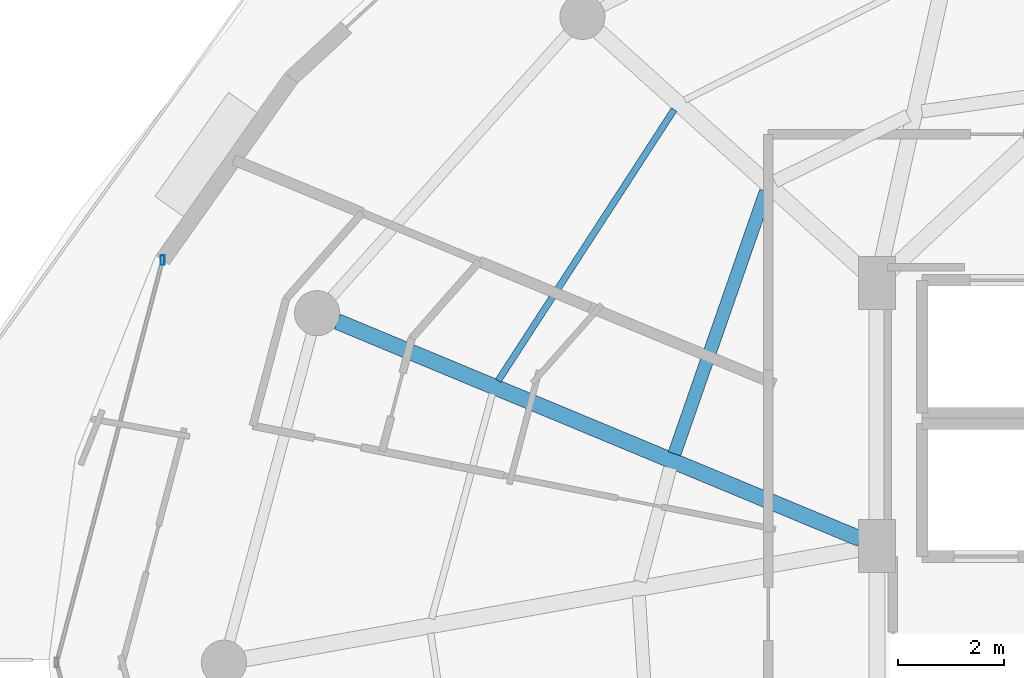
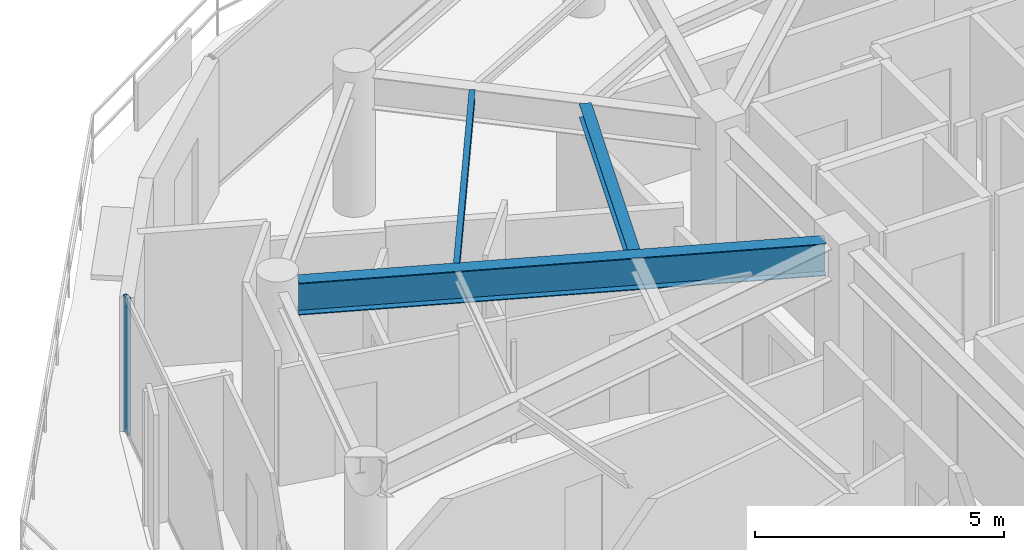
# One storey, part 8 of 29: 3 beams, 1 member, 1 element without a shape of its own.
"""IFC4 building model written with IfcOpenShell, lengths in metres."""

import ifcopenshell
import ifcopenshell.guid

model = None  # the IFC model being written
_history = None  # IfcOwnerHistory: only IFC2X3 demands one
_inside = {}  # id of a spatial element -> (the spatial element, [elements in it])
_under = {}  # id of a project, library or spatial element -> (it, [spatial elements below it])
_declared = {}  # id of a project -> (the project, [libraries it declares])
_typed = {}  # id of a type object -> (the type object, [elements of that type])
_made_of = {}  # id of a material, layer set ... -> (it, [elements and type objects made of it])


def new_model(schema):
    """Start an empty IFC model of exactly this schema.

    Asked for "IFC4X3", IfcOpenShell would pick the latest addendum, in which some entities
    have other attributes; the version numbers below select the first issue.
    IFC2X3 requires an IfcOwnerHistory on every rooted entity: one is made here for all.
    """
    global model, _history
    if schema == "IFC4X3":
        model = ifcopenshell.file(schema_version=(4, 3, 0, 0))
    else:
        model = ifcopenshell.file(schema=schema)
    _inside.clear()
    _under.clear()
    _declared.clear()
    _typed.clear()
    _made_of.clear()
    _history = None
    if model.schema == "IFC2X3":
        org = make("IfcOrganization", Name="unknown")
        user = make(
            "IfcPersonAndOrganization",
            ThePerson=make("IfcPerson", FamilyName="unknown"),
            TheOrganization=org,
        )
        app = make(
            "IfcApplication",
            ApplicationDeveloper=org,
            Version="unknown",
            ApplicationFullName="unknown",
            ApplicationIdentifier="unknown",
        )
        _history = make(
            "IfcOwnerHistory",
            OwningUser=user,
            OwningApplication=app,
            ChangeAction="ADDED",
            CreationDate=0,
        )
    return model


def make(cls, **values):
    """One entity of the class cls with the attributes given. An attribute that is None is left unset."""
    return model.create_entity(
        cls, **{name: value for name, value in values.items() if value is not None}
    )


def rooted(cls, **values):
    """An entity with a GlobalId (a new one), such as an element, a storey or a relation."""
    return make(cls, GlobalId=ifcopenshell.guid.new(), OwnerHistory=_history, **values)


def si_unit(unit_type, name, prefix=None):
    """IfcSIUnit, for example si_unit("LENGTHUNIT", "METRE", prefix="MILLI")."""
    return make("IfcSIUnit", UnitType=unit_type, Prefix=prefix, Name=name)


def assignment(units):
    """IfcUnitAssignment: the units of a project."""
    return None if units is None else make("IfcUnitAssignment", Units=units)


def point(xyz):
    """IfcCartesianPoint."""
    return None if xyz is None else make("IfcCartesianPoint", Coordinates=xyz)


def direction(xyz):
    """IfcDirection."""
    return None if xyz is None else make("IfcDirection", DirectionRatios=xyz)


def frame(location, z_axis=None, x_axis=None):
    """IfcAxis2Placement3D, a coordinate frame: its origin and axes. An axis left out is left unset."""
    return make(
        "IfcAxis2Placement3D",
        Location=point(location),
        Axis=direction(z_axis),
        RefDirection=direction(x_axis),
    )


def frame_2d(location, x_axis=None):
    """IfcAxis2Placement2D, a coordinate frame in the plane: its origin and x axis."""
    return make(
        "IfcAxis2Placement2D", Location=point(location), RefDirection=direction(x_axis)
    )


def origin():
    """The frame at (0, 0, 0) with its axes left unset."""
    return frame((0.0, 0.0, 0.0))


def origin_2d():
    """The frame at (0, 0) in the plane with its x axis left unset."""
    return frame_2d((0.0, 0.0))


def place(relative_to, where):
    """IfcLocalPlacement: puts the frame where relative to a parent placement (None: the world)."""
    return make(
        "IfcLocalPlacement", PlacementRelTo=relative_to, RelativePlacement=where
    )


def context(
    kind, dimensions, precision=None, world=None, true_north=None, identifier=None
):
    """IfcGeometricRepresentationContext, for example the 3D "Model" context."""
    return make(
        "IfcGeometricRepresentationContext",
        ContextIdentifier=identifier,
        ContextType=kind,
        CoordinateSpaceDimension=dimensions,
        Precision=precision,
        WorldCoordinateSystem=world,
        TrueNorth=true_north,
    )


def subcontext(parent, identifier, kind, view, scale=None):
    """IfcGeometricRepresentationSubContext, for example "Body" below "Model"."""
    return make(
        "IfcGeometricRepresentationSubContext",
        ContextIdentifier=identifier,
        ContextType=kind,
        ParentContext=parent,
        TargetScale=scale,
        TargetView=view,
    )


def project(units=None, contexts=None):
    """IfcProject with its units and contexts."""
    return rooted(
        "IfcProject",
        Name="project",
        RepresentationContexts=contexts,
        UnitsInContext=assignment(units),
    )


def spatial(cls, under=None, at=None, **own):
    """A site, building, storey or space (cls), placed at a placement, below another one or the project."""
    s = rooted(cls, ObjectPlacement=at, **own)
    if under is not None:
        _under.setdefault(under.id(), (under, []))[1].append(s)
    return s


def profile(cls, at=None, kind="AREA", **sizes):
    """A parametric profile (cls). Its sizes go by their IFC names, for example OverallWidth=200.0."""
    return make(cls, ProfileType=kind, Position=at, **sizes)


def hollow_rectangle(**sizes):
    """IfcRectangleHollowProfileDef."""
    return profile("IfcRectangleHollowProfileDef", **sizes)


def i_section(**sizes):
    """IfcIShapeProfileDef."""
    return profile("IfcIShapeProfileDef", **sizes)


def extrude(swept, where, along, depth):
    """IfcExtrudedAreaSolid: the profile swept, set in the frame where, extruded along a direction by depth."""
    return make(
        "IfcExtrudedAreaSolid",
        SweptArea=swept,
        Position=where,
        ExtrudedDirection=direction(along),
        Depth=depth,
    )


def shape(context_of_items, identifier, shape_type, items):
    """IfcShapeRepresentation: the items that make up one representation, for example the "Body"."""
    return make(
        "IfcShapeRepresentation",
        ContextOfItems=context_of_items,
        RepresentationIdentifier=identifier,
        RepresentationType=shape_type,
        Items=items,
    )


def material(Name=None, Category=None):
    """IfcMaterial."""
    return make("IfcMaterial", Name=Name, Category=Category)


def material_profile(
    of_material, cross_section, Name=None, Category=None, Priority=None
):
    """IfcMaterialProfile: a cross section and its material."""
    return make(
        "IfcMaterialProfile",
        Name=Name,
        Material=of_material,
        Profile=cross_section,
        Priority=Priority,
        Category=Category,
    )


def profile_set(profiles, Name=None, composite=None):
    """IfcMaterialProfileSet."""
    return make(
        "IfcMaterialProfileSet",
        Name=Name,
        MaterialProfiles=profiles,
        CompositeProfile=composite,
    )


def made_of(thing, what):
    """Note that an element or type object is made of a material, layer set ...; save() writes the relation."""
    if what is not None:
        _made_of.setdefault(what.id(), (what, []))[1].append(thing)
    return thing


def type_object(cls, material=None, **own):
    """A type object (cls), such as IfcWallType, which elements share."""
    return made_of(rooted(cls, **own), material)


def element(
    cls,
    number,
    at=None,
    inside=None,
    cuts=None,
    type_object=None,
    material=None,
    context=None,
    identifier="Body",
    shape_type=None,
    held_by="IfcProductDefinitionShape",
    body=None,
    shapes=None,
    **own,
):
    """One element of the class cls, such as IfcWall. Its Tag is "e" and its number.

    at: its placement. inside: the storey or other place that contains it. cuts: it is an
    opening in that element (IfcRelVoidsElement). A single representation is given by context,
    identifier, shape_type and body (its items); several are given by shapes. held_by: the class
    of the entity that holds the representations. save() writes the other relations.
    """
    e = rooted(cls, Tag="e%d" % number, ObjectPlacement=at, **own)
    if body is not None:
        shapes = [shape(context, identifier, shape_type, body)]
    if shapes is not None:
        e.Representation = make(held_by, Representations=shapes)
    if inside is not None:
        _inside.setdefault(inside.id(), (inside, []))[1].append(e)
    if cuts is not None:
        rooted(
            "IfcRelVoidsElement", RelatingBuildingElement=cuts, RelatedOpeningElement=e
        )
    if type_object is not None:
        _typed.setdefault(type_object.id(), (type_object, []))[1].append(e)
    return made_of(e, material)


def aggregate(whole, parts):
    """IfcRelAggregates: a whole, such as a stair, and the parts it consists of."""
    return rooted("IfcRelAggregates", RelatingObject=whole, RelatedObjects=parts)


def save(model, path):
    """Write the relations noted so far, then the file.

    IfcRelAggregates (storeys below a building ...), IfcRelContainedInSpatialStructure (elements
    in a storey), IfcRelDefinesByType, IfcRelAssociatesMaterial and IfcRelDeclares: one each for
    every whole, place, type object, material and project.
    """
    for whole, parts in _under.values():
        aggregate(whole, parts)
    for where, things in _inside.values():
        rooted(
            "IfcRelContainedInSpatialStructure",
            RelatedElements=things,
            RelatingStructure=where,
        )
    for kind, things in _typed.values():
        rooted("IfcRelDefinesByType", RelatedObjects=things, RelatingType=kind)
    for what, things in _made_of.values():
        rooted("IfcRelAssociatesMaterial", RelatedObjects=things, RelatingMaterial=what)
    for by, libraries in _declared.values():
        rooted("IfcRelDeclares", RelatingContext=by, RelatedDefinitions=libraries)
    model.write(path)


model = new_model("IFC4")

# Units and contexts
model_context = context("Model", 3, precision=1e-05, world=origin(), true_north=direction((0.0, 1.0)))
body_context = subcontext(model_context, "Body", "Model", "MODEL_VIEW")
ifc_project = project(units=[si_unit("LENGTHUNIT", "METRE"), si_unit("AREAUNIT", "SQUARE_METRE"), si_unit("VOLUMEUNIT", "CUBIC_METRE"), si_unit("PLANEANGLEUNIT", "RADIAN"), si_unit("MASSUNIT", "GRAM", prefix="KILO")], contexts=[model_context])

# Site, building, storey
site_placement = place(None, origin())
site = spatial("IfcSite", under=ifc_project, at=site_placement, CompositionType="ELEMENT")
building_placement = place(site_placement, origin())
building = spatial("IfcBuilding", under=site, at=building_placement, Name="Vorneva Point Tower", CompositionType="ELEMENT")
storey_placement = place(building_placement, frame((0.0, 0.0, 259.10009765625)))
storey = spatial("IfcBuildingStorey", under=building, at=storey_placement, Name="L70", CompositionType="ELEMENT", Elevation=259.10009765625)

# Beams
ifc_material_1 = material(Name="Steel S355", Category="steel")
ifc_material_profile_1 = material_profile(ifc_material_1, i_section(OverallWidth=0.300048828125, OverallDepth=0.7880859375, WebThickness=0.014404296875, FlangeThickness=0.02197265625, at=origin_2d()), Name="80Sh1")
ifc_profile_set_1 = profile_set([ifc_material_profile_1], Name="Steel S355")
beam_type_1 = type_object("IfcBeamType", Name="BM-GRD-80Sh1", PredefinedType="USERDEFINED", material=ifc_profile_set_1)
beam_1_placement = place(storey_placement, frame((17.0859375, 32.423583984375, 2.89599609375), z_axis=(0.923448932068, -0.383721344027, 0.0), x_axis=(0.383721344027, 0.923448932068, 0.0)))
element("IfcBeam", 1, at=beam_1_placement, inside=storey, type_object=beam_type_1, Name="L70 Radial Primary Girder 08", ObjectType="GIRDER", PredefinedType="USERDEFINED", context=body_context, shape_type="SweptSolid", body=[
    extrude(i_section(OverallWidth=0.300048828125, OverallDepth=0.7880859375, WebThickness=0.014404296875, FlangeThickness=0.02197265625, at=origin_2d()), origin(), (0.0, 0.0, 1.0), 10.666748046875),
])
ifc_material_profile_2 = material_profile(ifc_material_1, i_section(OverallWidth=0.1240234375, OverallDepth=0.248046875, WebThickness=0.0048828125, FlangeThickness=0.008056640625, at=origin_2d()), Name="25B1")
ifc_profile_set_2 = profile_set([ifc_material_profile_2], Name="Steel S355")
beam_type_2 = type_object("IfcBeamType", Name="BM-JST-25B1", PredefinedType="JOIST", material=ifc_profile_set_2)
beam_2_placement = place(storey_placement, frame((23.4296875, 36.41748046875, 3.166015625), z_axis=(-0.54436505899, -0.838848426446, 0.0), x_axis=(0.838848426446, -0.54436505899, 0.0)))
element("IfcBeam", 2, at=beam_2_placement, inside=storey, type_object=beam_type_2, Name="L70 Secondary Floor Beam 1.07", PredefinedType="JOIST", context=body_context, shape_type="SweptSolid", body=[
    extrude(i_section(OverallWidth=0.1240234375, OverallDepth=0.248046875, WebThickness=0.0048828125, FlangeThickness=0.008056640625, at=origin_2d()), origin(), (0.0, 0.0, 1.0), 6.0869140625),
])
ifc_material_profile_3 = material_profile(ifc_material_1, i_section(OverallWidth=0.2490234375, OverallDepth=0.333984375, WebThickness=0.008056640625, FlangeThickness=0.010986328125, at=origin_2d()), Name="35Sh1")
ifc_profile_set_3 = profile_set([ifc_material_profile_3], Name="Steel S355")
beam_type_3 = type_object("IfcBeamType", Name="BM-SEC-35Sh1", PredefinedType="BEAM", material=ifc_profile_set_3)
beam_3_placement = place(storey_placement, frame((25.156005859375, 34.870361328125, 3.122802734375), z_axis=(-0.329172675653, -0.94426974409, 0.0), x_axis=(0.94426974409, -0.329172675653, 0.0)))
element("IfcBeam", 3, at=beam_3_placement, inside=storey, type_object=beam_type_3, Name="L70 Secondary Floor Beam 2.07", PredefinedType="BEAM", context=body_context, shape_type="SweptSolid", body=[
    extrude(i_section(OverallWidth=0.2490234375, OverallDepth=0.333984375, WebThickness=0.008056640625, FlangeThickness=0.010986328125, at=origin_2d()), origin(), (0.0, 0.0, 1.0), 5.227294921875),
])

# Curtain wall, member
ifc_material_2 = material(Name="Pale anodised aluminium", Category="aluminium")
curtain_wall_type = type_object("IfcCurtainWallType", Name="CW-RES-SYS", PredefinedType="NOTDEFINED", material=ifc_material_2)
curtain_wall_placement = place(storey_placement, origin())
curtain_wall = element("IfcCurtainWall", 4, at=curtain_wall_placement, inside=storey, type_object=curtain_wall_type, Name="L70 Unitised Curtain Wall CW-L70-R03", PredefinedType="NOTDEFINED")
ifc_material_profile_4 = material_profile(ifc_material_2, hollow_rectangle(XDim=0.074951171875, YDim=0.179931640625, WallThickness=0.00390625, at=origin_2d()), Name="AL-MUL 180x75x4")
ifc_profile_set_4 = profile_set([ifc_material_profile_4], Name="Pale anodised aluminium")
member_type = type_object("IfcMemberType", Name="CW-MUL-180", PredefinedType="MULLION", material=ifc_profile_set_4)
member_placement = place(storey_placement, frame((13.79443359375, 33.5810546875, -0.0400390625), z_axis=(0.0, 0.0, 1.0), x_axis=(1.0, 0.0, 0.0)))
member = element("IfcMember", 5, at=member_placement, type_object=member_type, Name="CW-L70-R03 Mullion 01", PredefinedType="MULLION", context=body_context, shape_type="SweptSolid", body=[
    extrude(hollow_rectangle(XDim=0.074951171875, YDim=0.179931640625, WallThickness=0.00390625, at=origin_2d()), origin(), (0.0, 0.0, 1.0), 3.35986328125),
])
aggregate(curtain_wall, [member])

save(model, "model.ifc")
